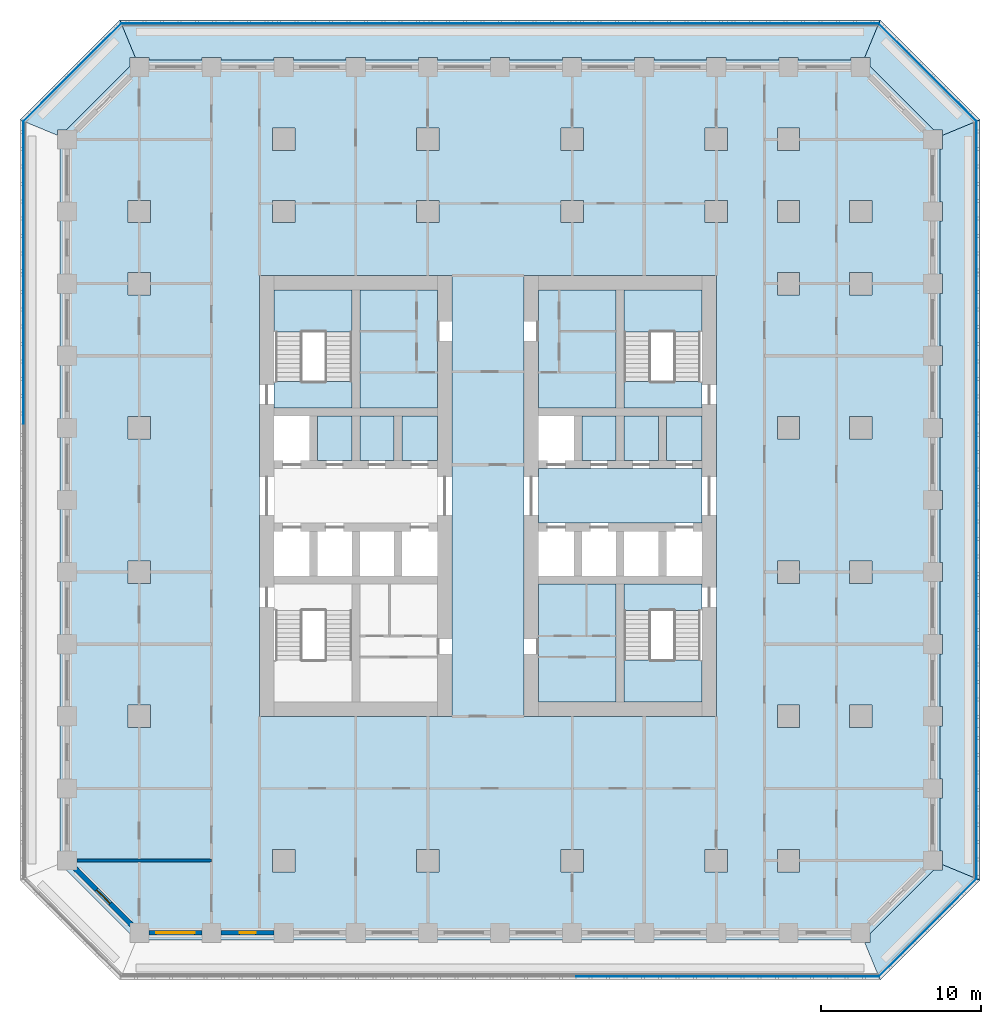
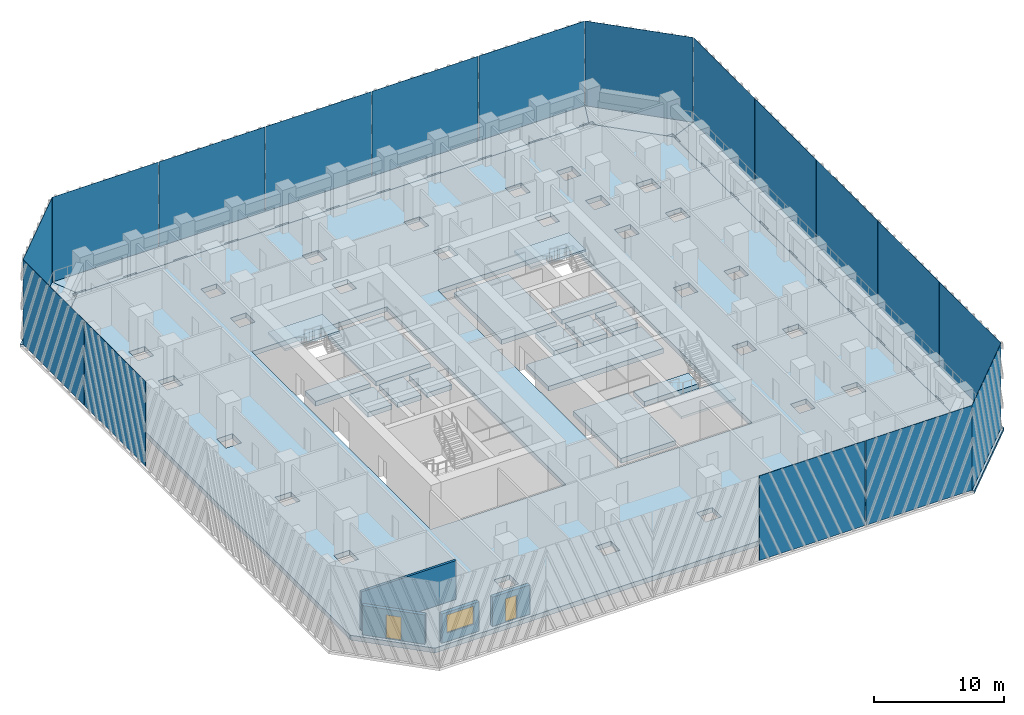
# One storey, part 2 of 20: 22 slabs, 17 plates, 4 walls, 2 doors, 1 window, 3 openings, 3 elements without a shape of their own.
"""IFC4 building model written with IfcOpenShell, lengths in metres."""

from ifc_helpers import new_model, si_unit, direction, frame, frame_2d, origin, origin_2d, place, context, subcontext, project, spatial, polyline, rectangle, outline, extrude, material, layer, layer_set, type_object, element, fill, aggregate, save


model = new_model("IFC4")

# Units and contexts
model_context = context("Model", 3, precision=1e-05, world=origin(), true_north=direction((0.0, 1.0)))
body_context = subcontext(model_context, "Body", "Model", "MODEL_VIEW")
ifc_project = project(units=[si_unit("LENGTHUNIT", "METRE"), si_unit("AREAUNIT", "SQUARE_METRE"), si_unit("VOLUMEUNIT", "CUBIC_METRE"), si_unit("PLANEANGLEUNIT", "RADIAN"), si_unit("MASSUNIT", "GRAM", prefix="KILO")], contexts=[model_context])

# Site, building, storey
site_placement = place(None, origin())
site = spatial("IfcSite", under=ifc_project, at=site_placement, CompositionType="ELEMENT")
building_placement = place(site_placement, origin())
building = spatial("IfcBuilding", under=site, at=building_placement, Name="Corbel Stack Research Tower", CompositionType="ELEMENT")
storey_placement = place(building_placement, frame((0.0, 0.0, 98.39990234375)))
storey = spatial("IfcBuildingStorey", under=building, at=storey_placement, Name="L22", CompositionType="ELEMENT", Elevation=98.39990234375)

# Plates
ifc_material_1 = material(Name="Fritted glass", Category="glass")
ifc_layer_1 = layer(ifc_material_1, 0.02490234375)
ifc_layer_set_1 = layer_set([ifc_layer_1], Name="Fritted glass")
plate_type = type_object("IfcPlateType", Name="Fritted glass panel 25", PredefinedType="SHEET", material=ifc_layer_set_1)
for number, where, z_axis, x_axis, name in (
    (1, (13.95556640625, -25.237548828125, 0.0), (0.0, 0.0, 1.0), (1.0, 0.0, 0.0), "Fritted glass L22 S4"),
    (2, (23.411376953125, -25.237548828125, 0.0), (0.0, 0.0, 1.0), (1.0, 0.0, 0.0), "Fritted glass L22 S5"),
):
    element("IfcPlate", number, at=place(storey_placement, frame(where, z_axis=z_axis, x_axis=x_axis)), inside=storey, type_object=plate_type, Name=name, PredefinedType="SHEET", context=body_context, shape_type="SweptSolid", body=[
        extrude(rectangle(XDim=9.3955078125, YDim=0.02490234375, at=origin_2d()), origin(), (0.0, 0.0, 1.0), 7.949951171875),
    ])
plate_1_placement = place(storey_placement, frame((31.185791015625, -22.185791015625, 0.0), z_axis=(0.0, 0.0, 1.0), x_axis=(0.707106781187, 0.707106781187, 0.0)))
element("IfcPlate", 3, at=plate_1_placement, inside=storey, type_object=plate_type, Name="Fritted glass L22 SE1", PredefinedType="SHEET", context=body_context, shape_type="SweptSolid", body=[
    extrude(rectangle(XDim=8.58203125, YDim=0.02490234375, at=origin_2d()), origin(), (0.0, 0.0, 1.0), 7.949951171875),
])
for number, where, z_axis, x_axis, name in (
    (4, (34.237548828125, -14.411376953125, 0.0), (0.0, 0.0, 1.0), (0.0, 1.0, 0.0), "Fritted glass L22 E1"),
    (5, (34.237548828125, -4.95556640625, 0.0), (0.0, 0.0, 1.0), (0.0, 1.0, 0.0), "Fritted glass L22 E2"),
    (6, (34.237548828125, 4.5, 0.0), (0.0, 0.0, 1.0), (0.0, 1.0, 0.0), "Fritted glass L22 E3"),
    (7, (34.237548828125, 13.95556640625, 0.0), (0.0, 0.0, 1.0), (0.0, 1.0, 0.0), "Fritted glass L22 E4"),
    (8, (34.237548828125, 23.411376953125, 0.0), (0.0, 0.0, 1.0), (0.0, 1.0, 0.0), "Fritted glass L22 E5"),
):
    element("IfcPlate", number, at=place(storey_placement, frame(where, z_axis=z_axis, x_axis=x_axis)), inside=storey, type_object=plate_type, Name=name, PredefinedType="SHEET", context=body_context, shape_type="SweptSolid", body=[
        extrude(rectangle(XDim=9.3955078125, YDim=0.02490234375, at=origin_2d()), origin(), (0.0, 0.0, 1.0), 7.949951171875),
    ])
plate_2_placement = place(storey_placement, frame((31.185791015625, 31.185791015625, 0.0), z_axis=(0.0, 0.0, 1.0), x_axis=(-0.707106781187, 0.707106781187, 0.0)))
element("IfcPlate", 9, at=plate_2_placement, inside=storey, type_object=plate_type, Name="Fritted glass L22 NE1", PredefinedType="SHEET", context=body_context, shape_type="SweptSolid", body=[
    extrude(rectangle(XDim=8.58203125, YDim=0.02490234375, at=origin_2d()), origin(), (0.0, 0.0, 1.0), 7.949951171875),
])
for number, where, z_axis, x_axis, name in (
    (10, (23.411376953125, 34.237548828125, 0.0), (0.0, 0.0, 1.0), (-1.0, 0.0, 0.0), "Fritted glass L22 N1"),
    (11, (13.95556640625, 34.237548828125, 0.0), (0.0, 0.0, 1.0), (-1.0, 0.0, 0.0), "Fritted glass L22 N2"),
    (12, (4.5, 34.237548828125, 0.0), (0.0, 0.0, 1.0), (-1.0, 0.0, 0.0), "Fritted glass L22 N3"),
    (13, (-4.95556640625, 34.237548828125, 0.0), (0.0, 0.0, 1.0), (-1.0, 0.0, 0.0), "Fritted glass L22 N4"),
    (14, (-14.411376953125, 34.237548828125, 0.0), (0.0, 0.0, 1.0), (-1.0, 0.0, 0.0), "Fritted glass L22 N5"),
):
    element("IfcPlate", number, at=place(storey_placement, frame(where, z_axis=z_axis, x_axis=x_axis)), inside=storey, type_object=plate_type, Name=name, PredefinedType="SHEET", context=body_context, shape_type="SweptSolid", body=[
        extrude(rectangle(XDim=9.3955078125, YDim=0.02490234375, at=origin_2d()), origin(), (0.0, 0.0, 1.0), 7.949951171875),
    ])
plate_3_placement = place(storey_placement, frame((-22.185791015625, 31.185791015625, 0.0), z_axis=(0.0, 0.0, 1.0), x_axis=(-0.707106781187, -0.707106781187, 0.0)))
element("IfcPlate", 15, at=plate_3_placement, inside=storey, type_object=plate_type, Name="Fritted glass L22 NW1", PredefinedType="SHEET", context=body_context, shape_type="SweptSolid", body=[
    extrude(rectangle(XDim=8.58203125, YDim=0.02490234375, at=origin_2d()), origin(), (0.0, 0.0, 1.0), 7.949951171875),
])
for number, where, z_axis, x_axis, name in (
    (16, (-25.237548828125, 23.411376953125, 0.0), (0.0, 0.0, 1.0), (0.0, -1.0, 0.0), "Fritted glass L22 W1"),
    (17, (-25.237548828125, 13.95556640625, 0.0), (0.0, 0.0, 1.0), (0.0, -1.0, 0.0), "Fritted glass L22 W2"),
):
    element("IfcPlate", number, at=place(storey_placement, frame(where, z_axis=z_axis, x_axis=x_axis)), inside=storey, type_object=plate_type, Name=name, PredefinedType="SHEET", context=body_context, shape_type="SweptSolid", body=[
        extrude(rectangle(XDim=9.3955078125, YDim=0.02490234375, at=origin_2d()), origin(), (0.0, 0.0, 1.0), 7.949951171875),
    ])

# Slabs
ifc_material_2 = material(Name="Concrete C45/55", Category="concrete")
ifc_layer_2 = layer(ifc_material_2, 0.25)
ifc_layer_set_2 = layer_set([ifc_layer_2], Name="Concrete C45/55")
slab_type_1 = type_object("IfcSlabType", Name="PT balcony slab 250 C45/55", PredefinedType="FLOOR", material=ifc_layer_set_2)
slab_1_placement = place(storey_placement, frame((0.0, 0.0, -0.25)))
element("IfcSlab", 18, at=slab_1_placement, inside=storey, type_object=slab_type_1, Name="Loggia slab L22 SE", PredefinedType="FLOOR", context=body_context, shape_type="SweptSolid", body=[
    extrude(outline(polyline([(32.10009765625, -18.24853515625), (32.10009765625, -18.60009765625), (31.536376953125, -18.60009765625), (27.60009765625, -22.536376953125), (27.60009765625, -23.10009765625), (27.24853515625, -23.10009765625), (28.221923828125, -25.449951171875), (34.449951171875, -19.221923828125), (32.10009765625, -18.24853515625)])), origin(), (0.0, 0.0, 1.0), 0.25),
])
slab_2_placement = place(storey_placement, frame((0.0, 0.0, -0.25)))
element("IfcSlab", 19, at=slab_2_placement, inside=storey, type_object=slab_type_1, Name="Loggia slab L22 E", PredefinedType="FLOOR", context=body_context, shape_type="SweptSolid", body=[
    extrude(outline(polyline([(32.10009765625, 27.24853515625), (32.10009765625, 26.39990234375), (31.949951171875, 26.39990234375), (31.949951171875, 23.10009765625), (32.10009765625, 23.10009765625), (32.10009765625, 21.89990234375), (31.949951171875, 21.89990234375), (31.949951171875, 18.60009765625), (32.10009765625, 18.60009765625), (32.10009765625, 17.39990234375), (31.949951171875, 17.39990234375), (31.949951171875, 14.10009765625), (32.10009765625, 14.10009765625), (32.10009765625, 12.89990234375), (31.949951171875, 12.89990234375), (31.949951171875, 9.60009765625), (32.10009765625, 9.60009765625), (32.10009765625, 8.39990234375), (31.949951171875, 8.39990234375), (31.949951171875, 5.10009765625), (32.10009765625, 5.10009765625), (32.10009765625, 3.89990234375), (31.949951171875, 3.89990234375), (31.949951171875, 0.60009765625), (32.10009765625, 0.60009765625), (32.10009765625, -0.60009765625), (31.949951171875, -0.60009765625), (31.949951171875, -3.89990234375), (32.10009765625, -3.89990234375), (32.10009765625, -5.10009765625), (31.949951171875, -5.10009765625), (31.949951171875, -8.39990234375), (32.10009765625, -8.39990234375), (32.10009765625, -9.60009765625), (31.949951171875, -9.60009765625), (31.949951171875, -12.89990234375), (32.10009765625, -12.89990234375), (32.10009765625, -14.10009765625), (31.949951171875, -14.10009765625), (31.949951171875, -17.39990234375), (32.10009765625, -17.39990234375), (32.10009765625, -18.24853515625), (34.449951171875, -19.221923828125), (34.449951171875, 28.221923828125), (32.10009765625, 27.24853515625)])), origin(), (0.0, 0.0, 1.0), 0.25),
])
slab_3_placement = place(storey_placement, frame((0.0, 0.0, -0.25)))
element("IfcSlab", 20, at=slab_3_placement, inside=storey, type_object=slab_type_1, Name="Loggia slab L22 NE", PredefinedType="FLOOR", context=body_context, shape_type="SweptSolid", body=[
    extrude(outline(polyline([(27.24853515625, 32.10009765625), (27.60009765625, 32.10009765625), (27.60009765625, 31.536376953125), (31.536376953125, 27.60009765625), (32.10009765625, 27.60009765625), (32.10009765625, 27.24853515625), (34.449951171875, 28.221923828125), (28.221923828125, 34.449951171875), (27.24853515625, 32.10009765625)])), origin(), (0.0, 0.0, 1.0), 0.25),
])
slab_4_placement = place(storey_placement, frame((0.0, 0.0, -0.25)))
element("IfcSlab", 21, at=slab_4_placement, inside=storey, type_object=slab_type_1, Name="Loggia slab L22 N", PredefinedType="FLOOR", context=body_context, shape_type="SweptSolid", body=[
    extrude(outline(polyline([(-18.24853515625, 32.10009765625), (-17.39990234375, 32.10009765625), (-17.39990234375, 31.949951171875), (-14.10009765625, 31.949951171875), (-14.10009765625, 32.10009765625), (-12.89990234375, 32.10009765625), (-12.89990234375, 31.949951171875), (-9.60009765625, 31.949951171875), (-9.60009765625, 32.10009765625), (-8.39990234375, 32.10009765625), (-8.39990234375, 31.949951171875), (-5.10009765625, 31.949951171875), (-5.10009765625, 32.10009765625), (-3.89990234375, 32.10009765625), (-3.89990234375, 31.949951171875), (-0.60009765625, 31.949951171875), (-0.60009765625, 32.10009765625), (0.60009765625, 32.10009765625), (0.60009765625, 31.949951171875), (3.89990234375, 31.949951171875), (3.89990234375, 32.10009765625), (5.10009765625, 32.10009765625), (5.10009765625, 31.949951171875), (8.39990234375, 31.949951171875), (8.39990234375, 32.10009765625), (9.60009765625, 32.10009765625), (9.60009765625, 31.949951171875), (12.89990234375, 31.949951171875), (12.89990234375, 32.10009765625), (14.10009765625, 32.10009765625), (14.10009765625, 31.949951171875), (17.39990234375, 31.949951171875), (17.39990234375, 32.10009765625), (18.60009765625, 32.10009765625), (18.60009765625, 31.949951171875), (21.89990234375, 31.949951171875), (21.89990234375, 32.10009765625), (23.10009765625, 32.10009765625), (23.10009765625, 31.949951171875), (26.39990234375, 31.949951171875), (26.39990234375, 32.10009765625), (27.24853515625, 32.10009765625), (28.221923828125, 34.449951171875), (-19.221923828125, 34.449951171875), (-18.24853515625, 32.10009765625)])), origin(), (0.0, 0.0, 1.0), 0.25),
])
slab_5_placement = place(storey_placement, frame((0.0, 0.0, -0.25)))
element("IfcSlab", 22, at=slab_5_placement, inside=storey, type_object=slab_type_1, Name="Loggia slab L22 NW", PredefinedType="FLOOR", context=body_context, shape_type="SweptSolid", body=[
    extrude(outline(polyline([(-23.10009765625, 27.24853515625), (-23.10009765625, 27.60009765625), (-22.536376953125, 27.60009765625), (-18.60009765625, 31.536376953125), (-18.60009765625, 32.10009765625), (-18.24853515625, 32.10009765625), (-19.221923828125, 34.449951171875), (-25.449951171875, 28.221923828125), (-23.10009765625, 27.24853515625)])), origin(), (0.0, 0.0, 1.0), 0.25),
])
ifc_material_3 = material(Name="Concrete C45/55", Category="concrete")
ifc_layer_3 = layer(ifc_material_3, 0.449951171875)
ifc_layer_set_3 = layer_set([ifc_layer_3], Name="Concrete C45/55")
slab_type_2 = type_object("IfcSlabType", Name="PT-450", PredefinedType="FLOOR", material=ifc_layer_set_3)
slab_6_placement = place(storey_placement, frame((0.0, 0.0, -0.449951171875)))
element("IfcSlab", 23, at=slab_6_placement, inside=storey, type_object=slab_type_2, Name="Floor slab L22", PredefinedType="FLOOR", context=body_context, shape_type="SweptSolid", body=[
    extrude(outline(polyline([(-18.186279296875, -22.949951171875), (27.186279296875, -22.949951171875), (31.949951171875, -18.186279296875), (31.949951171875, 27.186279296875), (27.186279296875, 31.949951171875), (-18.186279296875, 31.949951171875), (-22.949951171875, 27.186279296875), (-22.949951171875, -18.186279296875), (-18.186279296875, -22.949951171875)]), holes=[polyline([(26.300048828125, 21.800048828125), (26.300048828125, 23.199951171875), (27.699951171875, 23.199951171875), (27.699951171875, 21.800048828125), (26.300048828125, 21.800048828125)]), polyline([(26.300048828125, -9.699951171875), (26.300048828125, -8.300048828125), (27.699951171875, -8.300048828125), (27.699951171875, -9.699951171875), (26.300048828125, -9.699951171875)]), polyline([(26.300048828125, -0.699951171875), (26.300048828125, 0.699951171875), (27.699951171875, 0.699951171875), (27.699951171875, -0.699951171875), (26.300048828125, -0.699951171875)]), polyline([(26.300048828125, 8.300048828125), (26.300048828125, 9.699951171875), (27.699951171875, 9.699951171875), (27.699951171875, 8.300048828125), (26.300048828125, 8.300048828125)]), polyline([(26.300048828125, 17.300048828125), (26.300048828125, 18.699951171875), (27.699951171875, 18.699951171875), (27.699951171875, 17.300048828125), (26.300048828125, 17.300048828125)]), polyline([(21.800048828125, 26.300048828125), (21.800048828125, 27.699951171875), (23.199951171875, 27.699951171875), (23.199951171875, 26.300048828125), (21.800048828125, 26.300048828125)]), polyline([(21.800048828125, 21.800048828125), (21.800048828125, 23.199951171875), (23.199951171875, 23.199951171875), (23.199951171875, 21.800048828125), (21.800048828125, 21.800048828125)]), polyline([(21.800048828125, 17.300048828125), (21.800048828125, 18.699951171875), (23.199951171875, 18.699951171875), (23.199951171875, 17.300048828125), (21.800048828125, 17.300048828125)]), polyline([(21.800048828125, 8.300048828125), (21.800048828125, 9.699951171875), (23.199951171875, 9.699951171875), (23.199951171875, 8.300048828125), (21.800048828125, 8.300048828125)]), polyline([(21.800048828125, -0.699951171875), (21.800048828125, 0.699951171875), (23.199951171875, 0.699951171875), (23.199951171875, -0.699951171875), (21.800048828125, -0.699951171875)]), polyline([(21.800048828125, -9.699951171875), (21.800048828125, -8.300048828125), (23.199951171875, -8.300048828125), (23.199951171875, -9.699951171875), (21.800048828125, -9.699951171875)]), polyline([(21.800048828125, -18.699951171875), (21.800048828125, -17.300048828125), (23.199951171875, -17.300048828125), (23.199951171875, -18.699951171875), (21.800048828125, -18.699951171875)]), polyline([(17.300048828125, 26.300048828125), (17.300048828125, 27.699951171875), (18.699951171875, 27.699951171875), (18.699951171875, 26.300048828125), (17.300048828125, 26.300048828125)]), polyline([(17.300048828125, 21.800048828125), (17.300048828125, 23.199951171875), (18.699951171875, 23.199951171875), (18.699951171875, 21.800048828125), (17.300048828125, 21.800048828125)]), polyline([(17.300048828125, -18.699951171875), (17.300048828125, -17.300048828125), (18.699951171875, -17.300048828125), (18.699951171875, -18.699951171875), (17.300048828125, -18.699951171875)]), polyline([(6.0, -9.0), (6.0, 18.5), (18.0, 18.5), (18.0, -9.0), (6.0, -9.0)]), polyline([(8.300048828125, 26.300048828125), (8.300048828125, 27.699951171875), (9.699951171875, 27.699951171875), (9.699951171875, 26.300048828125), (8.300048828125, 26.300048828125)]), polyline([(8.300048828125, 21.800048828125), (8.300048828125, 23.199951171875), (9.699951171875, 23.199951171875), (9.699951171875, 21.800048828125), (8.300048828125, 21.800048828125)]), polyline([(8.300048828125, -18.699951171875), (8.300048828125, -17.300048828125), (9.699951171875, -17.300048828125), (9.699951171875, -18.699951171875), (8.300048828125, -18.699951171875)]), polyline([(-10.5, -9.0), (-10.5, 18.5), (1.5, 18.5), (1.5, -9.0), (-10.5, -9.0)]), polyline([(-0.699951171875, 26.300048828125), (-0.699951171875, 27.699951171875), (0.699951171875, 27.699951171875), (0.699951171875, 26.300048828125), (-0.699951171875, 26.300048828125)]), polyline([(-0.699951171875, 21.800048828125), (-0.699951171875, 23.199951171875), (0.699951171875, 23.199951171875), (0.699951171875, 21.800048828125), (-0.699951171875, 21.800048828125)]), polyline([(-0.699951171875, -18.699951171875), (-0.699951171875, -17.300048828125), (0.699951171875, -17.300048828125), (0.699951171875, -18.699951171875), (-0.699951171875, -18.699951171875)]), polyline([(-9.699951171875, 26.300048828125), (-9.699951171875, 27.699951171875), (-8.300048828125, 27.699951171875), (-8.300048828125, 26.300048828125), (-9.699951171875, 26.300048828125)]), polyline([(-9.699951171875, 21.800048828125), (-9.699951171875, 23.199951171875), (-8.300048828125, 23.199951171875), (-8.300048828125, 21.800048828125), (-9.699951171875, 21.800048828125)]), polyline([(-8.300048828125, -18.699951171875), (-9.699951171875, -18.699951171875), (-9.699951171875, -17.300048828125), (-8.300048828125, -17.300048828125), (-8.300048828125, -18.699951171875)]), polyline([(-18.699951171875, 21.800048828125), (-18.699951171875, 23.199951171875), (-17.300048828125, 23.199951171875), (-17.300048828125, 21.800048828125), (-18.699951171875, 21.800048828125)]), polyline([(-18.699951171875, 17.300048828125), (-18.699951171875, 18.699951171875), (-17.300048828125, 18.699951171875), (-17.300048828125, 17.300048828125), (-18.699951171875, 17.300048828125)]), polyline([(-18.699951171875, 8.300048828125), (-18.699951171875, 9.699951171875), (-17.300048828125, 9.699951171875), (-17.300048828125, 8.300048828125), (-18.699951171875, 8.300048828125)]), polyline([(-18.699951171875, -0.699951171875), (-18.699951171875, 0.699951171875), (-17.300048828125, 0.699951171875), (-17.300048828125, -0.699951171875), (-18.699951171875, -0.699951171875)]), polyline([(-18.699951171875, -9.699951171875), (-18.699951171875, -8.300048828125), (-17.300048828125, -8.300048828125), (-17.300048828125, -9.699951171875), (-18.699951171875, -9.699951171875)])]), origin(), (0.0, 0.0, 1.0), 0.449951171875),
])
slab_7_placement = place(storey_placement, frame((0.0, 0.0, -0.449951171875)))
element("IfcSlab", 24, at=slab_7_placement, inside=storey, type_object=slab_type_2, Name="West core floor L22", PredefinedType="FLOOR", context=body_context, shape_type="SweptSolid", body=[
    extrude(outline(polyline([(-6.875, 6.949951171875), (-4.75, 6.949951171875), (-4.75, 9.75), (-6.875, 9.75), (-6.875, 6.949951171875)])), origin(), (0.0, 0.0, 1.0), 0.449951171875),
])
slab_8_placement = place(storey_placement, frame((0.0, 0.0, -0.449951171875)))
element("IfcSlab", 25, at=slab_8_placement, inside=storey, type_object=slab_type_2, Name="West core floor L22", PredefinedType="FLOOR", context=body_context, shape_type="SweptSolid", body=[
    extrude(outline(polyline([(-2.125, 6.949951171875), (-2.125, 9.75), (-4.25, 9.75), (-4.25, 6.949951171875), (-2.125, 6.949951171875)])), origin(), (0.0, 0.0, 1.0), 0.449951171875),
])
slab_9_placement = place(storey_placement, frame((0.0, 0.0, -0.449951171875)))
element("IfcSlab", 26, at=slab_9_placement, inside=storey, type_object=slab_type_2, Name="West core floor L22", PredefinedType="FLOOR", context=body_context, shape_type="SweptSolid", body=[
    extrude(outline(polyline([(0.60009765625, 17.60009765625), (-4.25, 17.60009765625), (-4.25, 10.25), (0.60009765625, 10.25), (0.60009765625, 17.60009765625)])), origin(), (0.0, 0.0, 1.0), 0.449951171875),
])
slab_10_placement = place(storey_placement, frame((0.0, 0.0, -0.449951171875)))
element("IfcSlab", 27, at=slab_10_placement, inside=storey, type_object=slab_type_2, Name="West core floor L22", PredefinedType="FLOOR", context=body_context, shape_type="SweptSolid", body=[
    extrude(outline(polyline([(0.60009765625, 9.75), (-1.625, 9.75), (-1.625, 6.949951171875), (0.60009765625, 6.949951171875), (0.60009765625, 9.75)])), origin(), (0.0, 0.0, 1.0), 0.449951171875),
])
slab_11_placement = place(storey_placement, frame((0.0, 0.0, -0.449951171875)))
element("IfcSlab", 28, at=slab_11_placement, inside=storey, type_object=slab_type_2, Name="East core floor L22", PredefinedType="FLOOR", context=body_context, shape_type="SweptSolid", body=[
    extrude(outline(polyline([(11.75, -0.75), (6.89990234375, -0.75), (6.89990234375, -8.10009765625), (11.75, -8.10009765625), (11.75, -0.75)])), origin(), (0.0, 0.0, 1.0), 0.449951171875),
])
slab_12_placement = place(storey_placement, frame((0.0, 0.0, -0.449951171875)))
element("IfcSlab", 29, at=slab_12_placement, inside=storey, type_object=slab_type_2, Name="East core floor L22", PredefinedType="FLOOR", context=body_context, shape_type="SweptSolid", body=[
    extrude(outline(polyline([(6.89990234375, 6.449951171875), (6.89990234375, 3.050048828125), (17.10009765625, 3.050048828125), (17.10009765625, 6.449951171875), (6.89990234375, 6.449951171875)])), origin(), (0.0, 0.0, 1.0), 0.449951171875),
])
slab_13_placement = place(storey_placement, frame((0.0, 0.0, -0.449951171875)))
element("IfcSlab", 30, at=slab_13_placement, inside=storey, type_object=slab_type_2, Name="East core floor L22", PredefinedType="FLOOR", context=body_context, shape_type="SweptSolid", body=[
    extrude(outline(polyline([(6.89990234375, 17.60009765625), (6.89990234375, 10.25), (11.75, 10.25), (11.75, 17.60009765625), (6.89990234375, 17.60009765625)])), origin(), (0.0, 0.0, 1.0), 0.449951171875),
])
slab_14_placement = place(storey_placement, frame((0.0, 0.0, -0.449951171875)))
element("IfcSlab", 31, at=slab_14_placement, inside=storey, type_object=slab_type_2, Name="East core floor L22", PredefinedType="FLOOR", context=body_context, shape_type="SweptSolid", body=[
    extrude(outline(polyline([(9.625, 6.949951171875), (11.75, 6.949951171875), (11.75, 9.75), (9.625, 9.75), (9.625, 6.949951171875)])), origin(), (0.0, 0.0, 1.0), 0.449951171875),
])
slab_15_placement = place(storey_placement, frame((0.0, 0.0, -0.449951171875)))
element("IfcSlab", 32, at=slab_15_placement, inside=storey, type_object=slab_type_2, Name="East core floor L22", PredefinedType="FLOOR", context=body_context, shape_type="SweptSolid", body=[
    extrude(outline(polyline([(14.375, 6.949951171875), (14.375, 9.75), (12.25, 9.75), (12.25, 6.949951171875), (14.375, 6.949951171875)])), origin(), (0.0, 0.0, 1.0), 0.449951171875),
])
slab_16_placement = place(storey_placement, frame((0.0, 0.0, -0.449951171875)))
element("IfcSlab", 33, at=slab_16_placement, inside=storey, type_object=slab_type_2, Name="East core floor L22", PredefinedType="FLOOR", context=body_context, shape_type="SweptSolid", body=[
    extrude(outline(polyline([(17.10009765625, 6.949951171875), (17.10009765625, 9.75), (14.875, 9.75), (14.875, 6.949951171875), (17.10009765625, 6.949951171875)])), origin(), (0.0, 0.0, 1.0), 0.449951171875),
])
slab_17_placement = place(storey_placement, frame((0.0, 0.0, -0.449951171875)))
element("IfcSlab", 34, at=slab_17_placement, inside=storey, type_object=slab_type_2, Name="Stair floor landing ST-W2", PredefinedType="FLOOR", context=body_context, shape_type="SweptSolid", body=[
    extrude(outline(polyline([(-9.60009765625, 10.25), (-4.75, 10.25), (-4.75, 11.89990234375), (-9.60009765625, 11.89990234375), (-9.60009765625, 10.25)])), origin(), (0.0, 0.0, 1.0), 0.449951171875),
])
slab_18_placement = place(storey_placement, frame((0.0, 0.0, -0.449951171875)))
element("IfcSlab", 35, at=slab_18_placement, inside=storey, type_object=slab_type_2, Name="Stair floor landing ST-E1", PredefinedType="FLOOR", context=body_context, shape_type="SweptSolid", body=[
    extrude(outline(polyline([(12.25, -2.39990234375), (17.10009765625, -2.39990234375), (17.10009765625, -0.75), (12.25, -0.75), (12.25, -2.39990234375)])), origin(), (0.0, 0.0, 1.0), 0.449951171875),
])
slab_19_placement = place(storey_placement, frame((0.0, 0.0, -0.449951171875)))
element("IfcSlab", 36, at=slab_19_placement, inside=storey, type_object=slab_type_2, Name="Stair floor landing ST-E2", PredefinedType="FLOOR", context=body_context, shape_type="SweptSolid", body=[
    extrude(outline(polyline([(12.25, 10.25), (17.10009765625, 10.25), (17.10009765625, 11.89990234375), (12.25, 11.89990234375), (12.25, 10.25)])), origin(), (0.0, 0.0, 1.0), 0.449951171875),
])

# Stair, slab
ifc_material_4 = material(Name="Concrete C40/50", Category="concrete")
stair_type = type_object("IfcStairType", Name="Exit stair 24 risers", PredefinedType="HALF_TURN_STAIR", material=ifc_material_4)
stair_1_placement = place(storey_placement, origin())
stair_1 = element("IfcStair", 37, at=stair_1_placement, inside=storey, type_object=stair_type, Name="L22 Exit stair ST-W2", PredefinedType="HALF_TURN_STAIR")
ifc_material_5 = material(Name="Concrete C40/50", Category="concrete")
ifc_layer_4 = layer(ifc_material_5, 0.199951171875)
ifc_layer_set_4 = layer_set([ifc_layer_4], Name="Concrete C40/50")
slab_type_3 = type_object("IfcSlabType", Name="Stair landing 200 C40/50", PredefinedType="LANDING", material=ifc_layer_set_4)
slab_20_placement = place(storey_placement, frame((0.0, 0.0, 1.85009765625)))
slab_20 = element("IfcSlab", 38, at=slab_20_placement, type_object=slab_type_3, Name="ST-W2 landing 1", PredefinedType="LANDING", context=body_context, shape_type="SweptSolid", body=[
    extrude(outline(polyline([(-9.60009765625, 14.97998046875), (-9.60009765625, 17.60009765625), (-4.75, 17.60009765625), (-4.75, 14.97998046875), (-9.60009765625, 14.97998046875)])), origin(), (0.0, 0.0, 1.0), 0.199951171875),
])
aggregate(stair_1, [slab_20])

stair_2_placement = place(storey_placement, origin())
stair_2 = element("IfcStair", 39, at=stair_2_placement, inside=storey, type_object=stair_type, Name="L22 Exit stair ST-E1", PredefinedType="HALF_TURN_STAIR")
slab_21_placement = place(storey_placement, frame((0.0, 0.0, 1.85009765625)))
slab_21 = element("IfcSlab", 40, at=slab_21_placement, type_object=slab_type_3, Name="ST-E1 landing 1", PredefinedType="LANDING", context=body_context, shape_type="SweptSolid", body=[
    extrude(outline(polyline([(12.25, -8.10009765625), (12.25, -5.47998046875), (17.10009765625, -5.47998046875), (17.10009765625, -8.10009765625), (12.25, -8.10009765625)])), origin(), (0.0, 0.0, 1.0), 0.199951171875),
])
aggregate(stair_2, [slab_21])

stair_3_placement = place(storey_placement, origin())
stair_3 = element("IfcStair", 41, at=stair_3_placement, inside=storey, type_object=stair_type, Name="L22 Exit stair ST-E2", PredefinedType="HALF_TURN_STAIR")
slab_22_placement = place(storey_placement, frame((0.0, 0.0, 1.85009765625)))
slab_22 = element("IfcSlab", 42, at=slab_22_placement, type_object=slab_type_3, Name="ST-E2 landing 1", PredefinedType="LANDING", context=body_context, shape_type="SweptSolid", body=[
    extrude(outline(polyline([(12.25, 14.97998046875), (12.25, 17.60009765625), (17.10009765625, 17.60009765625), (17.10009765625, 14.97998046875), (12.25, 14.97998046875)])), origin(), (0.0, 0.0, 1.0), 0.199951171875),
])
aggregate(stair_3, [slab_22])

# Wall
ifc_material_6 = material(Name="Fire-rated gypsum board partition on steel studs", Category="steel")
ifc_layer_5 = layer(ifc_material_6, 0.199951171875)
ifc_layer_set_5 = layer_set([ifc_layer_5], Name="Fire-rated gypsum board partition on steel studs")
wall_type_1 = type_object("IfcWallType", Name="Fire-rated partition 200 EI 60", PredefinedType="PARTITIONING", material=ifc_layer_set_5)
wall_1_placement = place(storey_placement, frame((-21.89990234375, -18.0, 0.0), z_axis=(0.0, 0.0, 1.0), x_axis=(1.0, 0.0, 0.0)))
element("IfcWall", 43, at=wall_1_placement, inside=storey, type_object=wall_type_1, Name="Partition L22-031", PredefinedType="PARTITIONING", context=body_context, shape_type="SweptSolid", body=[
    extrude(rectangle(XDim=8.39990234375, YDim=0.199951171875, at=frame_2d((4.199951171875, 0.0))), origin(), (0.0, 0.0, 1.0), 3.650146484375),
])

# Wall, opening, window
ifc_material_7 = material(Name="Concrete C45/55", Category="concrete")
ifc_layer_6 = layer(ifc_material_7, 0.300048828125)
ifc_layer_set_6 = layer_set([ifc_layer_6], Name="Concrete C45/55")
wall_type_2 = type_object("IfcWallType", Name="Terracotta-faced concrete wall 300", PredefinedType="SOLIDWALL", material=ifc_layer_set_6)
wall_2_placement = place(storey_placement, frame((-14.10009765625, -22.5, 0.0), z_axis=(0.0, 0.0, 1.0), x_axis=(-1.0, 0.0, 0.0)))
wall_2 = element("IfcWall", 44, at=wall_2_placement, inside=storey, type_object=wall_type_2, Name="Facade wall L22 S01", PredefinedType="SOLIDWALL", context=body_context, shape_type="SweptSolid", body=[
    extrude(rectangle(XDim=3.2998046875, YDim=0.300048828125, at=frame_2d((1.64990234375, 0.0))), origin(), (0.0, 0.0, 1.0), 2.75),
])
opening_1_placement = place(wall_2_placement, frame((0.449951171875, 0.0, 0.800048828125)))
opening_1 = element("IfcOpeningElement", 45, at=opening_1_placement, cuts=wall_2, Name="Opening W1", PredefinedType="OPENING", context=body_context, shape_type="SweptSolid", body=[
    extrude(rectangle(XDim=2.39990234375, YDim=1.699951171875, at=frame_2d((1.199951171875, 0.85009765625))), frame((0.0, 0.159912109375, 0.0), z_axis=(0.0, -1.0, 0.0), x_axis=(1.0, 0.0, 0.0)), (0.0, 0.0, 1.0), 0.320068359375),
])
ifc_material_8 = material(Name="Aluminium frame, clear double glazing", Category="aluminium")
window_type = type_object("IfcWindowType", Name="Window W1 2400 x 1700", PartitioningType="SINGLE_PANEL", PredefinedType="WINDOW", material=ifc_material_8)
window_placement = place(opening_1_placement, origin())
window = element("IfcWindow", 46, at=window_placement, inside=storey, type_object=window_type, Name="Window W1 L22 S01", OverallHeight=1.699951171875, OverallWidth=2.39990234375, PartitioningType="SINGLE_PANEL", PredefinedType="WINDOW", context=body_context, shape_type="SweptSolid", body=[
    extrude(rectangle(XDim=2.39990234375, YDim=1.699951171875, at=frame_2d((1.199951171875, 0.85009765625))), frame((0.0, 0.030029296875, 0.0), z_axis=(0.0, -1.0, 0.0), x_axis=(1.0, 0.0, 0.0)), (0.0, 0.0, 1.0), 0.06005859375),
])
fill(opening_1, window)

# Wall, opening, door
wall_3_placement = place(storey_placement, frame((-9.60009765625, -22.5, 0.0), z_axis=(0.0, 0.0, 1.0), x_axis=(-1.0, 0.0, 0.0)))
wall_3 = element("IfcWall", 47, at=wall_3_placement, inside=storey, type_object=wall_type_2, Name="Facade wall L22 S02", PredefinedType="SOLIDWALL", context=body_context, shape_type="SweptSolid", body=[
    extrude(rectangle(XDim=3.2998046875, YDim=0.300048828125, at=frame_2d((1.64990234375, 0.0))), origin(), (0.0, 0.0, 1.0), 2.75),
])
opening_2_placement = place(wall_3_placement, frame((1.14990234375, 0.0, 0.0)))
opening_2 = element("IfcOpeningElement", 48, at=opening_2_placement, cuts=wall_3, Name="Opening L22-B01", PredefinedType="OPENING", context=body_context, shape_type="SweptSolid", body=[
    extrude(rectangle(XDim=1.0, YDim=2.199951171875, at=frame_2d((0.5, 1.10009765625))), frame((0.0, 0.159912109375, 0.0), z_axis=(0.0, -1.0, 0.0), x_axis=(1.0, 0.0, 0.0)), (0.0, 0.0, 1.0), 0.320068359375),
])
ifc_material_9 = material(Name="Aluminium frame, clear double glazing", Category="aluminium")
door_type_1 = type_object("IfcDoorType", Name="Balcony door BD1 1000 x 2200", OperationType="NOTDEFINED", PredefinedType="DOOR", material=ifc_material_9)
door_1_placement = place(opening_2_placement, origin())
door_1 = element("IfcDoor", 49, at=door_1_placement, inside=storey, type_object=door_type_1, Name="Balcony door L22-B01", OperationType="SINGLE_SWING_RIGHT", OverallHeight=2.199951171875, OverallWidth=1.0, PredefinedType="DOOR", context=body_context, shape_type="SweptSolid", body=[
    extrude(rectangle(XDim=1.0, YDim=2.199951171875, at=frame_2d((0.5, 1.10009765625))), frame((0.0, 0.02490234375, 0.0), z_axis=(0.0, -1.0, 0.0), x_axis=(1.0, 0.0, 0.0)), (0.0, 0.0, 1.0), 0.050048828125),
])
fill(opening_2, door_1)

wall_4_placement = place(storey_placement, frame((-18.493896484375, -22.006103515625, 0.0), z_axis=(0.0, 0.0, 1.0), x_axis=(-0.707106781187, 0.707106781187, 0.0)))
wall_4 = element("IfcWall", 50, at=wall_4_placement, inside=storey, type_object=wall_type_2, Name="Facade wall L22 SW01", PredefinedType="SOLIDWALL", context=body_context, shape_type="SweptSolid", body=[
    extrude(rectangle(XDim=4.967041015625, YDim=0.300048828125, at=frame_2d((2.4833984375, 0.0))), origin(), (0.0, 0.0, 1.0), 2.75),
])
opening_3_placement = place(wall_4_placement, frame((1.883544921875, 0.0, 0.0)))
opening_3 = element("IfcOpeningElement", 51, at=opening_3_placement, cuts=wall_4, Name="Opening L22-B12", PredefinedType="OPENING", context=body_context, shape_type="SweptSolid", body=[
    extrude(rectangle(XDim=1.199951171875, YDim=2.199951171875, at=frame_2d((0.60009765625, 1.10009765625))), frame((0.0, 0.159912109375, 0.0), z_axis=(0.0, -1.0, 0.0), x_axis=(1.0, 0.0, 0.0)), (0.0, 0.0, 1.0), 0.320068359375),
])
ifc_material_10 = material(Name="Aluminium frame, clear double glazing", Category="aluminium")
door_type_2 = type_object("IfcDoorType", Name="Balcony door BD2 1200 x 2200", OperationType="NOTDEFINED", PredefinedType="DOOR", material=ifc_material_10)
door_2_placement = place(opening_3_placement, origin())
door_2 = element("IfcDoor", 52, at=door_2_placement, inside=storey, type_object=door_type_2, Name="Balcony door L22-B12", OperationType="SINGLE_SWING_LEFT", OverallHeight=2.199951171875, OverallWidth=1.199951171875, PredefinedType="DOOR", context=body_context, shape_type="SweptSolid", body=[
    extrude(rectangle(XDim=1.199951171875, YDim=2.199951171875, at=frame_2d((0.60009765625, 1.10009765625))), frame((0.0, 0.02490234375, 0.0), z_axis=(0.0, -1.0, 0.0), x_axis=(1.0, 0.0, 0.0)), (0.0, 0.0, 1.0), 0.050048828125),
])
fill(opening_3, door_2)

save(model, "model.ifc")
